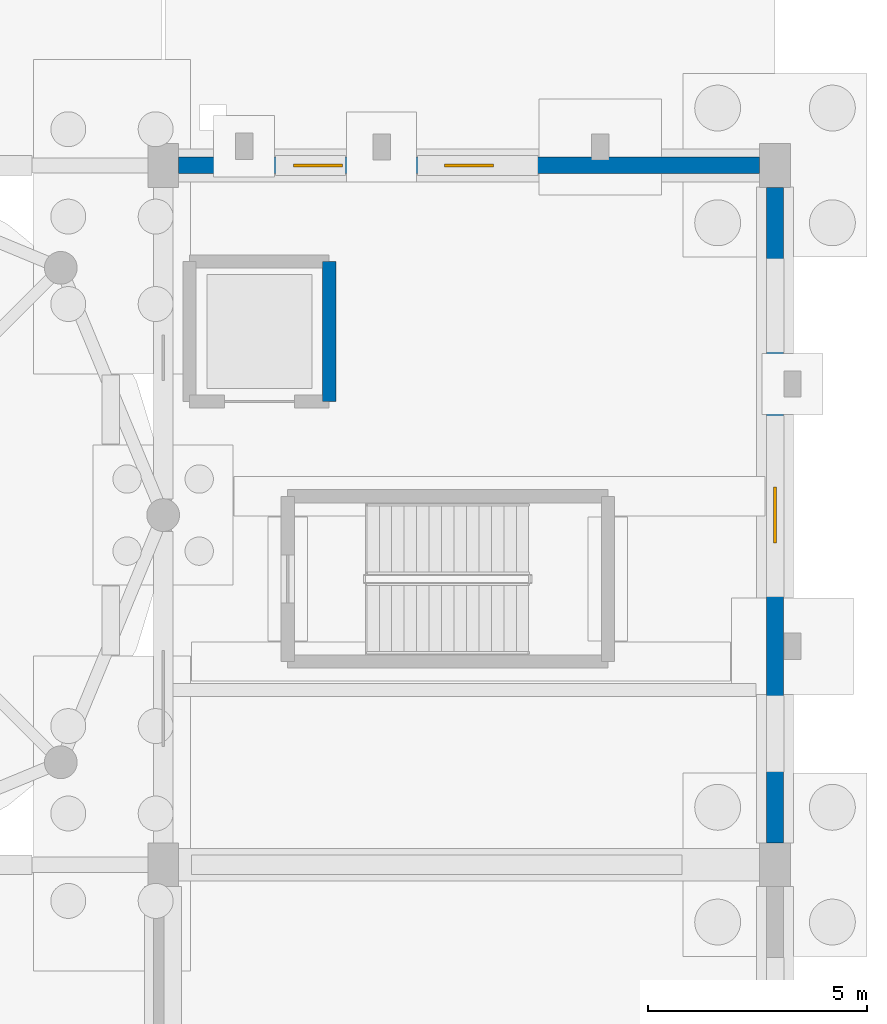
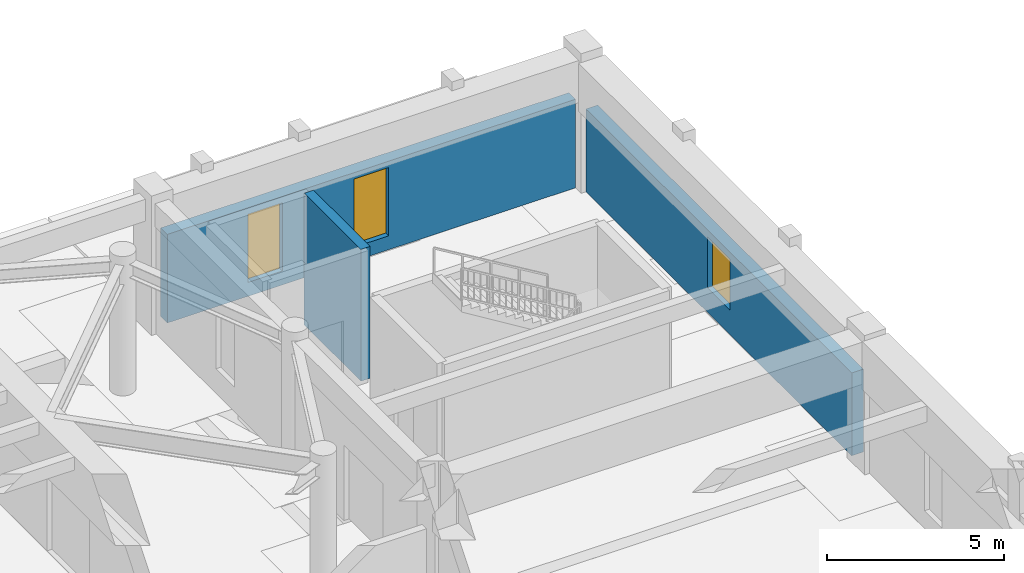
# One storey, part 54 of 68: 3 walls, 3 windows, 3 openings.
"""IFC4 building model written with IfcOpenShell, lengths in metres."""

from ifc_helpers import new_model, si_unit, direction, frame, frame_2d, origin, place, context, subcontext, project, spatial, rectangle, extrude, material, layer, layer_set, type_object, element, fill, save


model = new_model("IFC4")

# Units and contexts
model_context = context("Model", 3, precision=1e-05, world=origin(), true_north=direction((0.0, 1.0)))
body_context = subcontext(model_context, "Body", "Model", "MODEL_VIEW")
ifc_project = project(units=[si_unit("LENGTHUNIT", "METRE"), si_unit("AREAUNIT", "SQUARE_METRE"), si_unit("VOLUMEUNIT", "CUBIC_METRE"), si_unit("PLANEANGLEUNIT", "RADIAN"), si_unit("MASSUNIT", "GRAM", prefix="KILO")], contexts=[model_context])

# Site, building, storey
site_placement = place(None, origin())
site = spatial("IfcSite", under=ifc_project, at=site_placement, CompositionType="ELEMENT")
building_placement = place(site_placement, origin())
building = spatial("IfcBuilding", under=site, at=building_placement, Name="Serraluz Foothill Cableway Terminal", CompositionType="ELEMENT")
storey_placement = place(building_placement, origin())
storey = spatial("IfcBuildingStorey", under=building, at=storey_placement, Name="L00", CompositionType="ELEMENT", Elevation=0.0)

# Wall, openings, windows
ifc_material_1 = material(Name="Dark clinker clay masonry brick (f'm 14 MPa)", Category="masonry")
ifc_layer_1 = layer(ifc_material_1, 0.3798828125, Name="Dark clinker clay masonry brick (f'm 14 MPa)", Category="masonry")
ifc_layer_set_1 = layer_set([ifc_layer_1], Name="Dark clinker clay masonry brick (f'm 14 MPa)")
wall_type_1 = type_object("IfcWallType", Name="TYP-WL-EXT-380", PredefinedType="STANDARD", material=ifc_layer_set_1)
wall_1_placement = place(storey_placement, frame((160.35009765625, 72.0, 0.0), z_axis=(0.0, 0.0, 1.0), x_axis=(1.0, 0.0, 0.0)))
wall_1 = element("IfcWall", 1, at=wall_1_placement, inside=storey, type_object=wall_type_1, Name="Exterior Masonry Wall EW-V2-L00-06", PredefinedType="STANDARD", context=body_context, shape_type="SweptSolid", body=[
    extrude(rectangle(XDim=13.2998046875, YDim=0.3798828125, at=frame_2d((6.64990234375, 0.0))), origin(), (0.0, 0.0, 1.0), 3.050048828125),
])
opening_1_placement = place(wall_1_placement, frame((2.632080078125, 0.0, 0.47998046875)))
opening_1 = element("IfcOpeningElement", 2, at=opening_1_placement, cuts=wall_1, Name="Opening W-50", PredefinedType="OPENING", context=body_context, shape_type="SweptSolid", body=[
    extrude(rectangle(XDim=1.1201171875, YDim=2.35009765625, at=frame_2d((0.56005859375, 1.175048828125))), frame((0.0, 0.199951171875, 0.0), z_axis=(0.0, -1.0, 0.0), x_axis=(1.0, 0.0, 0.0)), (0.0, 0.0, 1.0), 0.39990234375),
])
opening_2_placement = place(wall_1_placement, frame((6.090087890625, 0.0, 0.47998046875)))
opening_2 = element("IfcOpeningElement", 3, at=opening_2_placement, cuts=wall_1, Name="Opening W-50", PredefinedType="OPENING", context=body_context, shape_type="SweptSolid", body=[
    extrude(rectangle(XDim=1.1201171875, YDim=2.35009765625, at=frame_2d((0.56005859375, 1.175048828125))), frame((0.0, 0.199951171875, 0.0), z_axis=(0.0, -1.0, 0.0), x_axis=(1.0, 0.0, 0.0)), (0.0, 0.0, 1.0), 0.39990234375),
])
ifc_material_2 = material(Name="Laminated low-E safety glass", Category="glass")
window_type_1 = type_object("IfcWindowType", Name="TYP-WN-112X235", PartitioningType="SINGLE_PANEL", PredefinedType="WINDOW", material=ifc_material_2)
window_1_placement = place(opening_1_placement, origin())
window_1 = element("IfcWindow", 4, at=window_1_placement, inside=storey, type_object=window_type_1, Name="Exterior Window EW-V2-L00-06-WN1", OverallHeight=2.35009765625, OverallWidth=1.1201171875, PartitioningType="SINGLE_PANEL", PredefinedType="WINDOW", context=body_context, shape_type="SweptSolid", body=[
    extrude(rectangle(XDim=1.1201171875, YDim=2.35009765625, at=frame_2d((0.56005859375, 1.175048828125))), frame((0.0, 0.030029296875, 0.0), z_axis=(0.0, -1.0, 0.0), x_axis=(1.0, 0.0, 0.0)), (0.0, 0.0, 1.0), 0.06005859375),
])
fill(opening_1, window_1)
window_2_placement = place(opening_2_placement, origin())
window_2 = element("IfcWindow", 5, at=window_2_placement, inside=storey, type_object=window_type_1, Name="Exterior Window EW-V2-L00-06-WN2", OverallHeight=2.35009765625, OverallWidth=1.1201171875, PartitioningType="SINGLE_PANEL", PredefinedType="WINDOW", context=body_context, shape_type="SweptSolid", body=[
    extrude(rectangle(XDim=1.1201171875, YDim=2.35009765625, at=frame_2d((0.56005859375, 1.175048828125))), frame((0.0, 0.030029296875, 0.0), z_axis=(0.0, -1.0, 0.0), x_axis=(1.0, 0.0, 0.0)), (0.0, 0.0, 1.0), 0.06005859375),
])
fill(opening_2, window_2)

# Wall, opening, window
wall_2_placement = place(storey_placement, frame((174.0, 71.5, 0.0), z_axis=(0.0, 0.0, 1.0), x_axis=(0.0, -1.0, 0.0)))
wall_2 = element("IfcWall", 6, at=wall_2_placement, inside=storey, type_object=wall_type_1, Name="Exterior Masonry Wall EW-V2-L00-07", PredefinedType="STANDARD", context=body_context, shape_type="SweptSolid", body=[
    extrude(rectangle(XDim=15.0, YDim=0.3798828125, at=frame_2d((7.5, 0.0))), origin(), (0.0, 0.0, 1.0), 2.85009765625),
])
opening_3_placement = place(wall_2_placement, frame((6.860107421875, 0.0, 0.85009765625)))
opening_3 = element("IfcOpeningElement", 7, at=opening_3_placement, cuts=wall_2, Name="Opening W-51", PredefinedType="OPENING", context=body_context, shape_type="SweptSolid", body=[
    extrude(rectangle(XDim=1.280029296875, YDim=1.75, at=frame_2d((0.64013671875, 0.875))), frame((0.0, 0.199951171875, 0.0), z_axis=(0.0, -1.0, 0.0), x_axis=(1.0, 0.0, 0.0)), (0.0, 0.0, 1.0), 0.39990234375),
])
window_type_2 = type_object("IfcWindowType", Name="TYP-WN-128X175", PartitioningType="DOUBLE_PANEL_VERTICAL", PredefinedType="WINDOW", material=ifc_material_2)
window_3_placement = place(opening_3_placement, origin())
window_3 = element("IfcWindow", 8, at=window_3_placement, inside=storey, type_object=window_type_2, Name="Exterior Window EW-V2-L00-07-WN2", OverallHeight=1.75, OverallWidth=1.280029296875, PartitioningType="SINGLE_PANEL", PredefinedType="WINDOW", context=body_context, shape_type="SweptSolid", body=[
    extrude(rectangle(XDim=1.280029296875, YDim=1.75, at=frame_2d((0.64013671875, 0.875))), frame((0.0, 0.030029296875, 0.0), z_axis=(0.0, -1.0, 0.0), x_axis=(1.0, 0.0, 0.0)), (0.0, 0.0, 1.0), 0.06005859375),
])
fill(opening_3, window_3)

# Wall
ifc_material_3 = material(Name="Concrete C35/45 (f'c 35 MPa)", Category="concrete")
ifc_layer_2 = layer(ifc_material_3, 0.300048828125, Name="Concrete C35/45 (f'c 35 MPa)", Category="concrete")
ifc_layer_set_2 = layer_set([ifc_layer_2], Name="Concrete C35/45 (f'c 35 MPa)")
wall_type_2 = type_object("IfcWallType", Name="TYP-WL-SHR-350", PredefinedType="SHEAR", material=ifc_layer_set_2)
wall_3_placement = place(storey_placement, frame((163.800048828125, 69.800048828125, 0.0), z_axis=(0.0, 0.0, 1.0), x_axis=(0.0, -1.0, 0.0)))
element("IfcWall", 9, at=wall_3_placement, inside=storey, type_object=wall_type_2, Name="Lift Shaft Shear Wall LW-LF-05-L00-E", PredefinedType="SHEAR", context=body_context, shape_type="SweptSolid", body=[
    extrude(rectangle(XDim=3.199951171875, YDim=0.300048828125, at=frame_2d((1.60009765625, 0.0))), origin(), (0.0, 0.0, 1.0), 4.5400390625),
])

save(model, "model.ifc")
